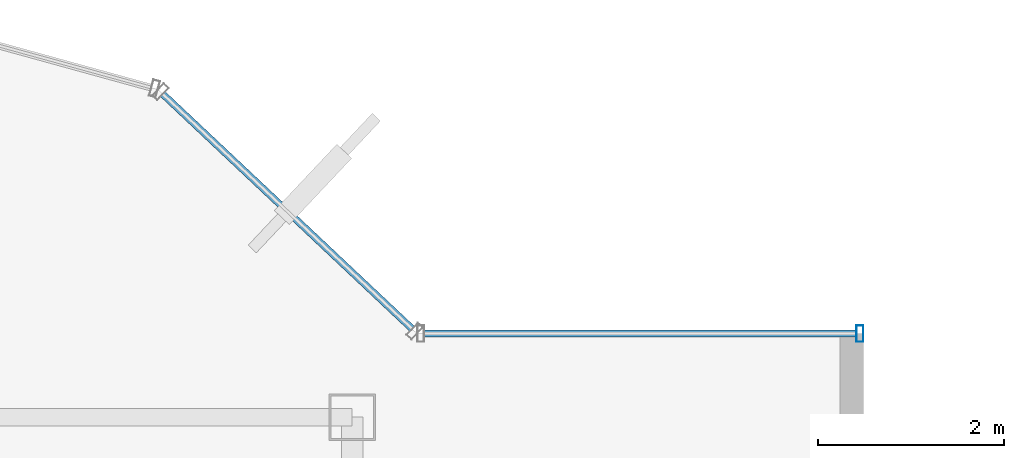
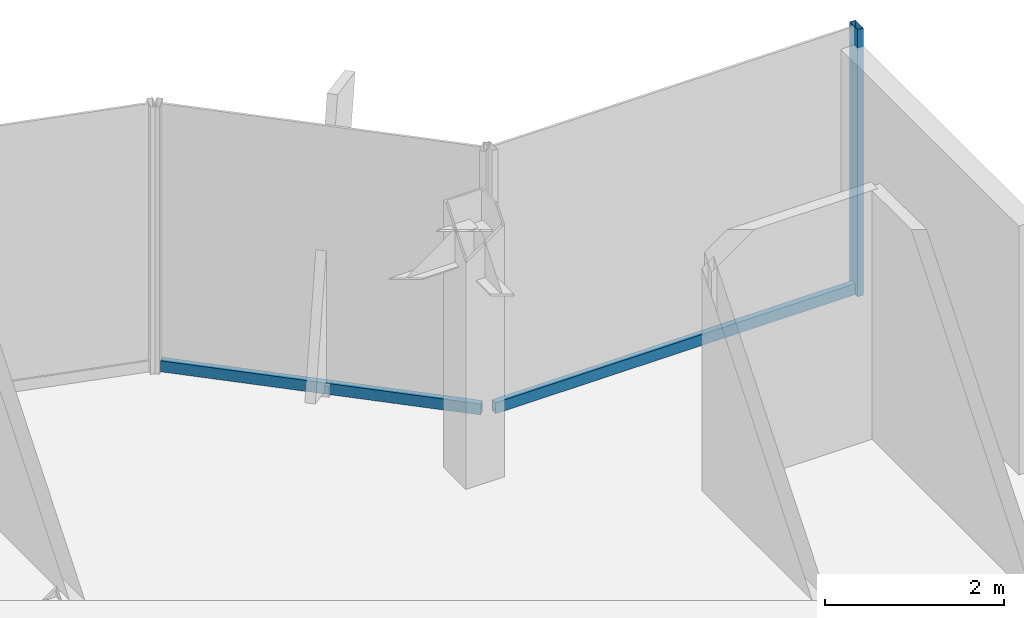
# One storey, part 15 of 22: 3 members, 2 elements without a shape of their own.
"""IFC4 building model written with IfcOpenShell, lengths in metres."""

from ifc_helpers import new_model, si_unit, derived_unit, direction, frame, origin, origin_2d, place, context, subcontext, project, spatial, hollow_rectangle, extrude, source, transform, mapped, material, material_profile, profile_set, type_object, element, aggregate, save


model = new_model("IFC4")

# Units and contexts
model_context = context("Model", 3, precision=1e-05, world=origin(), true_north=direction((0.0, 1.0)))
body_context = subcontext(model_context, "Body", "Model", "MODEL_VIEW")
ifc_project = project(units=[si_unit("LENGTHUNIT", "METRE"), si_unit("AREAUNIT", "SQUARE_METRE"), si_unit("VOLUMEUNIT", "CUBIC_METRE"), si_unit("PLANEANGLEUNIT", "RADIAN"), si_unit("MASSUNIT", "GRAM", prefix="KILO"), derived_unit("THERMALTRANSMITTANCEUNIT", [(si_unit("POWERUNIT", "WATT"), 1), (si_unit("LENGTHUNIT", "METRE"), -2), (si_unit("THERMODYNAMICTEMPERATUREUNIT", "KELVIN"), -1)])], contexts=[model_context])

# Site, building, storey
site_placement = place(None, origin())
site = spatial("IfcSite", under=ifc_project, at=site_placement, CompositionType="ELEMENT")
building_placement = place(site_placement, origin())
building = spatial("IfcBuilding", under=site, at=building_placement, Name="Skarnbrae Concourse Arena and Tower", CompositionType="ELEMENT")
storey_placement = place(building_placement, frame((0.0, 0.0, 244.199951171875)))
storey = spatial("IfcBuildingStorey", under=building, at=storey_placement, Name="L63", CompositionType="ELEMENT", Elevation=244.199951171875)

# Curtain wall, member
ifc_material = material(Name="Bronze anodised aluminium 6063-T6", Category="aluminium")
curtain_wall_type = type_object("IfcCurtainWallType", Name="CW-SYS-05-HIGHZONE", PredefinedType="USERDEFINED", material=ifc_material)
curtain_wall_1_placement = place(storey_placement, origin())
curtain_wall_1 = element("IfcCurtainWall", 1, at=curtain_wall_1_placement, inside=storey, type_object=curtain_wall_type, Name="L63 Unitised curtain wall CW-L63-E07", ObjectType="UNITISED CURTAIN WALL", PredefinedType="USERDEFINED")
ifc_material_profile_1 = material_profile(ifc_material, hollow_rectangle(XDim=0.074951171875, YDim=0.14990234375, WallThickness=0.00390625, at=origin_2d()), Name="ALU-TRAN-75X150")
ifc_profile_set_1 = profile_set([ifc_material_profile_1], Name="Bronze anodised aluminium 6063-T6")
member_type_1 = type_object("IfcMemberType", Name="CWT-CW-05", PredefinedType="USERDEFINED", material=ifc_profile_set_1)
shared_shape_1 = source(origin(), body_context, "Body", "SweptSolid", [
    extrude(hollow_rectangle(XDim=0.074951171875, YDim=0.14990234375, WallThickness=0.00390625, at=origin_2d()), origin(), (0.0, 0.0, 1.0), 4.650146484375),
])
member_1_placement = place(storey_placement, frame((38.925048828125, 35.300048828125, 0.074951171875), z_axis=(-1.0, 0.0, 0.0), x_axis=(0.0, -1.0, 0.0)))
member_1 = element("IfcMember", 2, at=member_1_placement, type_object=member_type_1, Name="CW-L63-E07 Transom 1", ObjectType="TRANSOM", PredefinedType="USERDEFINED", context=body_context, shape_type="MappedRepresentation", body=[
    mapped(shared_shape_1, transform((0.0, 0.0, 0.0))),
])

curtain_wall_2_placement = place(storey_placement, origin())
curtain_wall_2 = element("IfcCurtainWall", 3, at=curtain_wall_2_placement, inside=storey, type_object=curtain_wall_type, Name="L63 Unitised curtain wall CW-L63-E08", ObjectType="UNITISED CURTAIN WALL", PredefinedType="USERDEFINED")
shared_shape_2 = source(origin(), body_context, "Body", "SweptSolid", [
    extrude(hollow_rectangle(XDim=0.074951171875, YDim=0.14990234375, WallThickness=0.00390625, at=origin_2d()), origin(), (0.0, 0.0, 1.0), 3.68212890625),
])
member_2_placement = place(storey_placement, frame((34.1455078125, 35.351318359375, 0.074951171875), z_axis=(-0.728133808476, 0.685435012933, 0.0), x_axis=(-0.685435012933, -0.728133808476, 0.0)))
member_2 = element("IfcMember", 4, at=member_2_placement, type_object=member_type_1, Name="CW-L63-E08 Transom 1", ObjectType="TRANSOM", PredefinedType="USERDEFINED", context=body_context, shape_type="MappedRepresentation", body=[
    mapped(shared_shape_2, transform((0.0, 0.0, 0.0))),
])
aggregate(curtain_wall_2, [member_2])

# Member
ifc_material_profile_2 = material_profile(ifc_material, hollow_rectangle(XDim=0.074951171875, YDim=0.179931640625, WallThickness=0.00390625, at=origin_2d()), Name="ALU-MULL-75X180")
ifc_profile_set_2 = profile_set([ifc_material_profile_2], Name="Bronze anodised aluminium 6063-T6")
member_type_2 = type_object("IfcMemberType", Name="CWM-CW-05", PredefinedType="MULLION", material=ifc_profile_set_2)
shared_shape_3 = source(origin(), body_context, "Body", "SweptSolid", [
    extrude(hollow_rectangle(XDim=0.074951171875, YDim=0.179931640625, WallThickness=0.00390625, at=origin_2d()), origin(), (0.0, 0.0, 1.0), 3.650146484375),
])
member_3_placement = place(storey_placement, frame((38.96240234375, 35.300048828125, 0.0), z_axis=(0.0, 0.0, 1.0), x_axis=(-1.0, 0.0, 0.0)))
member_3 = element("IfcMember", 5, at=member_3_placement, type_object=member_type_2, Name="CW-L63-E07 Mullion 1", PredefinedType="MULLION", context=body_context, shape_type="MappedRepresentation", body=[
    mapped(shared_shape_3, transform((0.0, 0.0, 0.0))),
])

aggregate(curtain_wall_1, [member_3, member_1])

save(model, "model.ifc")
